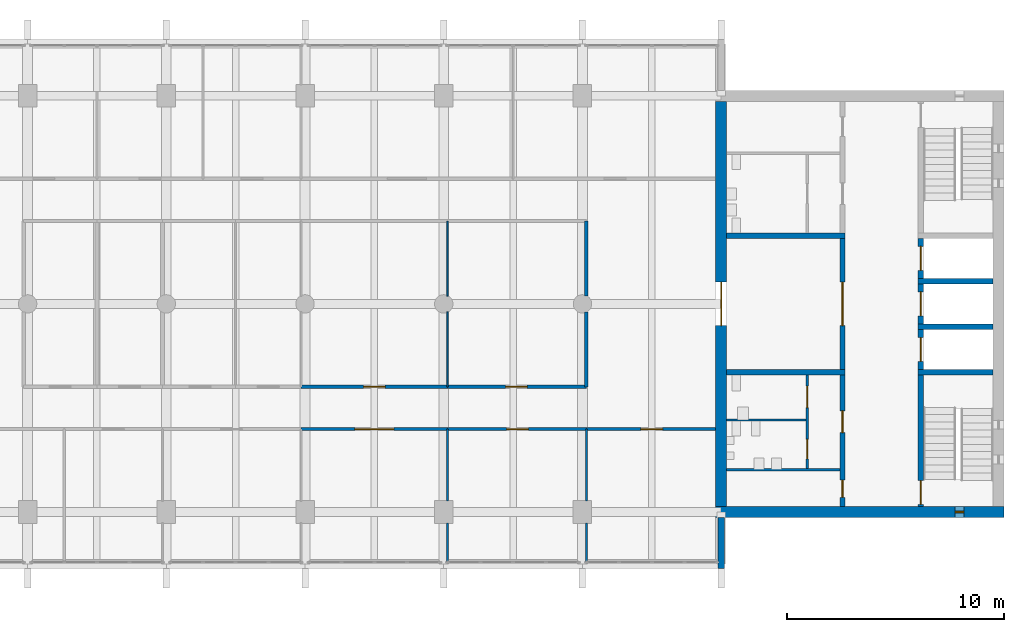
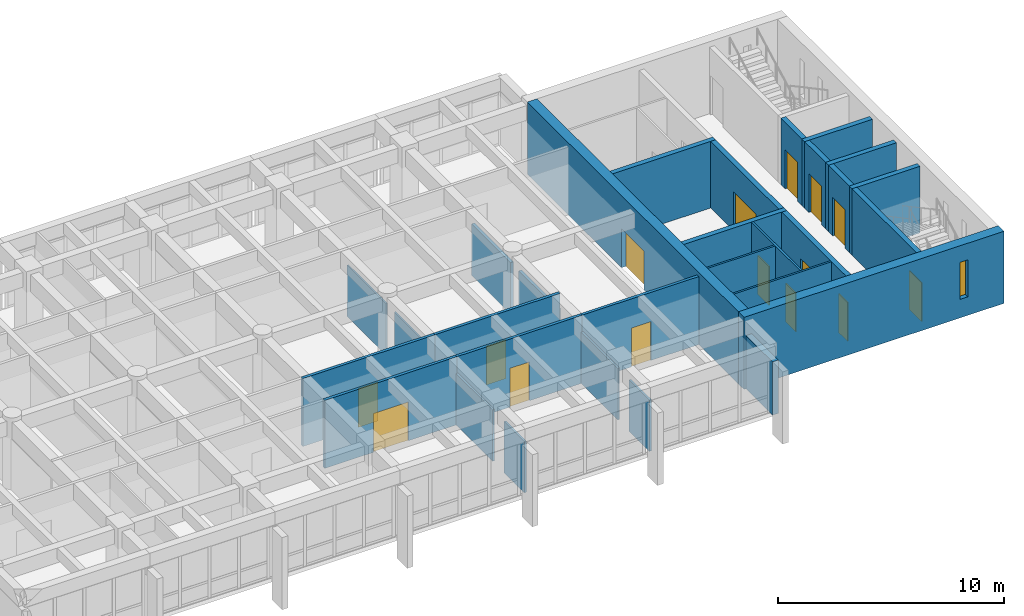
# One storey, part 11 of 15: 30 walls, 15 doors, 1 window, 16 openings.
"""IFC4 building model written with IfcOpenShell, lengths in metres."""

from ifc_helpers import new_model, si_unit, direction, frame, frame_2d, origin, place, context, subcontext, project, spatial, rectangle, extrude, material, layer, layer_set, type_object, element, fill, save


model = new_model("IFC4")

# Units and contexts
model_context = context("Model", 3, precision=1e-05, world=origin(), true_north=direction((0.0, 1.0)))
body_context = subcontext(model_context, "Body", "Model", "MODEL_VIEW")
ifc_project = project(units=[si_unit("LENGTHUNIT", "METRE"), si_unit("AREAUNIT", "SQUARE_METRE"), si_unit("VOLUMEUNIT", "CUBIC_METRE"), si_unit("PLANEANGLEUNIT", "RADIAN"), si_unit("MASSUNIT", "GRAM", prefix="KILO")], contexts=[model_context])

# Site, building, storey
site_placement = place(None, origin())
site = spatial("IfcSite", under=ifc_project, at=site_placement, CompositionType="ELEMENT")
building_placement = place(site_placement, origin())
building = spatial("IfcBuilding", under=site, at=building_placement, Name="Fogon Plaza Fire Station and Headquarters Tower", CompositionType="ELEMENT")
storey_placement = place(building_placement, frame((0.0, 0.0, 52.199951171875)))
storey = spatial("IfcBuildingStorey", under=building, at=storey_placement, Name="L13", CompositionType="ELEMENT", Elevation=52.199951171875)

# Walls
ifc_material_1 = material(Name="Concrete C40", Category="concrete")
ifc_layer_1 = layer(ifc_material_1, 0.25)
ifc_layer_set_1 = layer_set([ifc_layer_1], Name="Concrete C40")
wall_type_1 = type_object("IfcWallType", Name="Core Wall RC 250", PredefinedType="SOLIDWALL", material=ifc_layer_set_1)
for number, where, z_axis, x_axis, name in (
    (1, (76.550048828125, 40.050048828125, 0.0), (0.0, 0.0, 1.0), (-1.0, 0.0, 0.0), "Core B shaft wall"),
    (2, (76.550048828125, 42.14990234375, 0.0), (0.0, 0.0, 1.0), (-1.0, 0.0, 0.0), "Core B shaft wall"),
    (3, (76.550048828125, 44.25, 0.0), (0.0, 0.0, 1.0), (-1.0, 0.0, 0.0), "Core B shaft wall"),
):
    element("IfcWall", number, at=place(storey_placement, frame(where, z_axis=z_axis, x_axis=x_axis)), inside=storey, type_object=wall_type_1, Name=name, PredefinedType="SOLIDWALL", context=body_context, shape_type="SweptSolid", body=[
        extrude(rectangle(XDim=3.47509765625, YDim=0.25, at=frame_2d((1.737548828125, 0.0))), origin(), (0.0, 0.0, 1.0), 3.60009765625),
    ])

# Wall, opening, door
wall_1_placement = place(storey_placement, frame((73.199951171875, 33.85009765625, 0.0), z_axis=(0.0, 0.0, 1.0), x_axis=(0.0, 1.0, 0.0)))
wall_1 = element("IfcWall", 4, at=wall_1_placement, inside=storey, type_object=wall_type_1, Name="Core B shaft wall", PredefinedType="SOLIDWALL", context=body_context, shape_type="SweptSolid", body=[
    extrude(rectangle(XDim=6.074951171875, YDim=0.25, at=frame_2d((3.03759765625, 0.0))), origin(), (0.0, 0.0, 1.0), 3.60009765625),
])
opening_1_placement = place(wall_1_placement, frame((0.10009765625, 0.0, 0.0)))
opening_1 = element("IfcOpeningElement", 5, at=opening_1_placement, cuts=wall_1, Name="Opening L13-D15", PredefinedType="OPENING", context=body_context, shape_type="SweptSolid", body=[
    extrude(rectangle(XDim=1.10009765625, YDim=2.10009765625, at=frame_2d((0.550048828125, 1.050048828125))), frame((0.0, 0.135009765625, 0.0), z_axis=(0.0, -1.0, 0.0), x_axis=(1.0, 0.0, 0.0)), (0.0, 0.0, 1.0), 0.27001953125),
])
ifc_material_2 = material(Name="Steel Fire Door Leaf", Category="steel")
door_type_1 = type_object("IfcDoorType", Name="Stair Door Single 1100x2100", OperationType="SINGLE_SWING_LEFT", PredefinedType="DOOR", material=ifc_material_2)
door_1_placement = place(opening_1_placement, frame((1.10009765625, 0.0, 0.0), z_axis=(0.0, 0.0, 1.0), x_axis=(-1.0, 0.0, 0.0)))
door_1 = element("IfcDoor", 6, at=door_1_placement, inside=storey, type_object=door_type_1, Name="Stair door ST3", OperationType="SINGLE_SWING_RIGHT", OverallHeight=2.10009765625, OverallWidth=1.10009765625, PredefinedType="DOOR", context=body_context, shape_type="SweptSolid", body=[
    extrude(rectangle(XDim=1.10009765625, YDim=2.10009765625, at=frame_2d((0.550048828125, 1.050048828125))), frame((0.0, 0.02490234375, 0.0), z_axis=(0.0, -1.0, 0.0), x_axis=(1.0, 0.0, 0.0)), (0.0, 0.0, 1.0), 0.050048828125),
])
fill(opening_1, door_1)

wall_2_placement = place(storey_placement, frame((73.199951171875, 40.175048828125, 0.0), z_axis=(0.0, 0.0, 1.0), x_axis=(0.0, 1.0, 0.0)))
wall_2 = element("IfcWall", 7, at=wall_2_placement, inside=storey, type_object=wall_type_1, Name="Core B shaft wall", PredefinedType="SOLIDWALL", context=body_context, shape_type="SweptSolid", body=[
    extrude(rectangle(XDim=1.849853515625, YDim=0.25, at=frame_2d((0.9248046875, 0.0))), origin(), (0.0, 0.0, 1.0), 3.60009765625),
])
opening_2_placement = place(wall_2_placement, frame((0.375, 0.0, 0.0)))
opening_2 = element("IfcOpeningElement", 8, at=opening_2_placement, cuts=wall_2, Name="Opening L13-D17", PredefinedType="OPENING", context=body_context, shape_type="SweptSolid", body=[
    extrude(rectangle(XDim=1.10009765625, YDim=2.10009765625, at=frame_2d((0.550048828125, 1.050048828125))), frame((0.0, 0.135009765625, 0.0), z_axis=(0.0, -1.0, 0.0), x_axis=(1.0, 0.0, 0.0)), (0.0, 0.0, 1.0), 0.27001953125),
])
ifc_material_3 = material(Name="Stainless Steel", Category="steel")
door_type_2 = type_object("IfcDoorType", Name="Lift Landing Door 1100x2100", OperationType="SLIDING_TO_LEFT", PredefinedType="DOOR", material=ifc_material_3)
door_2_placement = place(opening_2_placement, origin())
door_2 = element("IfcDoor", 9, at=door_2_placement, inside=storey, type_object=door_type_2, Name="Lift LP3 landing door", OperationType="SLIDING_TO_LEFT", OverallHeight=2.10009765625, OverallWidth=1.10009765625, PredefinedType="DOOR", context=body_context, shape_type="SweptSolid", body=[
    extrude(rectangle(XDim=1.10009765625, YDim=2.10009765625, at=frame_2d((0.550048828125, 1.050048828125))), frame((0.0, 0.02490234375, 0.0), z_axis=(0.0, -1.0, 0.0), x_axis=(1.0, 0.0, 0.0)), (0.0, 0.0, 1.0), 0.050048828125),
])
fill(opening_2, door_2)

wall_3_placement = place(storey_placement, frame((73.199951171875, 42.27490234375, 0.0), z_axis=(0.0, 0.0, 1.0), x_axis=(0.0, 1.0, 0.0)))
wall_3 = element("IfcWall", 10, at=wall_3_placement, inside=storey, type_object=wall_type_1, Name="Core B shaft wall", PredefinedType="SOLIDWALL", context=body_context, shape_type="SweptSolid", body=[
    extrude(rectangle(XDim=1.85009765625, YDim=0.25, at=frame_2d((0.925048828125, 0.0))), origin(), (0.0, 0.0, 1.0), 3.60009765625),
])
opening_3_placement = place(wall_3_placement, frame((0.375, 0.0, 0.0)))
opening_3 = element("IfcOpeningElement", 11, at=opening_3_placement, cuts=wall_3, Name="Opening L13-D18", PredefinedType="OPENING", context=body_context, shape_type="SweptSolid", body=[
    extrude(rectangle(XDim=1.10009765625, YDim=2.10009765625, at=frame_2d((0.550048828125, 1.050048828125))), frame((0.0, 0.135009765625, 0.0), z_axis=(0.0, -1.0, 0.0), x_axis=(1.0, 0.0, 0.0)), (0.0, 0.0, 1.0), 0.27001953125),
])
door_3_placement = place(opening_3_placement, origin())
door_3 = element("IfcDoor", 12, at=door_3_placement, inside=storey, type_object=door_type_2, Name="Lift LP4 landing door", OperationType="SLIDING_TO_LEFT", OverallHeight=2.10009765625, OverallWidth=1.10009765625, PredefinedType="DOOR", context=body_context, shape_type="SweptSolid", body=[
    extrude(rectangle(XDim=1.10009765625, YDim=2.10009765625, at=frame_2d((0.550048828125, 1.050048828125))), frame((0.0, 0.02490234375, 0.0), z_axis=(0.0, -1.0, 0.0), x_axis=(1.0, 0.0, 0.0)), (0.0, 0.0, 1.0), 0.050048828125),
])
fill(opening_3, door_3)

wall_4_placement = place(storey_placement, frame((73.199951171875, 44.375, 0.0), z_axis=(0.0, 0.0, 1.0), x_axis=(0.0, 1.0, 0.0)))
wall_4 = element("IfcWall", 13, at=wall_4_placement, inside=storey, type_object=wall_type_1, Name="Core B shaft wall", PredefinedType="SOLIDWALL", context=body_context, shape_type="SweptSolid", body=[
    extrude(rectangle(XDim=1.85009765625, YDim=0.25, at=frame_2d((0.925048828125, 0.0))), origin(), (0.0, 0.0, 1.0), 3.60009765625),
])
opening_4_placement = place(wall_4_placement, frame((0.375, 0.0, 0.0)))
opening_4 = element("IfcOpeningElement", 14, at=opening_4_placement, cuts=wall_4, Name="Opening L13-D19", PredefinedType="OPENING", context=body_context, shape_type="SweptSolid", body=[
    extrude(rectangle(XDim=1.10009765625, YDim=2.10009765625, at=frame_2d((0.550048828125, 1.050048828125))), frame((0.0, 0.135009765625, 0.0), z_axis=(0.0, -1.0, 0.0), x_axis=(1.0, 0.0, 0.0)), (0.0, 0.0, 1.0), 0.27001953125),
])
door_4_placement = place(opening_4_placement, origin())
door_4 = element("IfcDoor", 15, at=door_4_placement, inside=storey, type_object=door_type_2, Name="Lift FL2 landing door", OperationType="SLIDING_TO_LEFT", OverallHeight=2.10009765625, OverallWidth=1.10009765625, PredefinedType="DOOR", context=body_context, shape_type="SweptSolid", body=[
    extrude(rectangle(XDim=1.10009765625, YDim=2.10009765625, at=frame_2d((0.550048828125, 1.050048828125))), frame((0.0, 0.02490234375, 0.0), z_axis=(0.0, -1.0, 0.0), x_axis=(1.0, 0.0, 0.0)), (0.0, 0.0, 1.0), 0.050048828125),
])
fill(opening_4, door_4)

# Wall, openings, doors
wall_5_placement = place(storey_placement, frame((69.60009765625, 33.85009765625, 0.0), z_axis=(0.0, 0.0, 1.0), x_axis=(0.0, 1.0, 0.0)))
wall_5 = element("IfcWall", 16, at=wall_5_placement, inside=storey, type_object=wall_type_1, Name="Core B shaft wall", PredefinedType="SOLIDWALL", context=body_context, shape_type="SweptSolid", body=[
    extrude(rectangle(XDim=6.074951171875, YDim=0.25, at=frame_2d((3.03759765625, 0.0))), origin(), (0.0, 0.0, 1.0), 3.60009765625),
])
opening_5_placement = place(wall_5_placement, frame((0.425048828125, 0.0, 0.0)))
opening_5 = element("IfcOpeningElement", 17, at=opening_5_placement, cuts=wall_5, Name="Opening L13-D22", PredefinedType="OPENING", context=body_context, shape_type="SweptSolid", body=[
    extrude(rectangle(XDim=0.800048828125, YDim=2.10009765625, at=frame_2d((0.39990234375, 1.050048828125))), frame((0.0, 0.135009765625, 0.0), z_axis=(0.0, -1.0, 0.0), x_axis=(1.0, 0.0, 0.0)), (0.0, 0.0, 1.0), 0.27001953125),
])
opening_6_placement = place(wall_5_placement, frame((3.41259765625, 0.0, 0.0)))
opening_6 = element("IfcOpeningElement", 18, at=opening_6_placement, cuts=wall_5, Name="Opening L13-D23", PredefinedType="OPENING", context=body_context, shape_type="SweptSolid", body=[
    extrude(rectangle(XDim=1.0, YDim=2.10009765625, at=frame_2d((0.5, 1.050048828125))), frame((0.0, 0.135009765625, 0.0), z_axis=(0.0, -1.0, 0.0), x_axis=(1.0, 0.0, 0.0)), (0.0, 0.0, 1.0), 0.27001953125),
])
ifc_material_4 = material(Name="Timber Door Leaf", Category="wood")
door_type_3 = type_object("IfcDoorType", Name="Cleaner Store Single 800x2100", OperationType="SINGLE_SWING_LEFT", PredefinedType="DOOR", material=ifc_material_4)
door_5_placement = place(opening_5_placement, origin())
door_5 = element("IfcDoor", 19, at=door_5_placement, inside=storey, type_object=door_type_3, Name="Cleaner's store B door", OperationType="SINGLE_SWING_RIGHT", OverallHeight=2.10009765625, OverallWidth=0.800048828125, PredefinedType="DOOR", context=body_context, shape_type="SweptSolid", body=[
    extrude(rectangle(XDim=0.800048828125, YDim=2.10009765625, at=frame_2d((0.39990234375, 1.050048828125))), frame((0.0, 0.02490234375, 0.0), z_axis=(0.0, -1.0, 0.0), x_axis=(1.0, 0.0, 0.0)), (0.0, 0.0, 1.0), 0.050048828125),
])
fill(opening_5, door_5)
ifc_material_5 = material(Name="Timber fire door", Category="wood")
door_type_4 = type_object("IfcDoorType", Name="WC Lobby Single 1000x2100", OperationType="SINGLE_SWING_LEFT", PredefinedType="DOOR", material=ifc_material_5)
door_6_placement = place(opening_6_placement, origin())
door_6 = element("IfcDoor", 20, at=door_6_placement, inside=storey, type_object=door_type_4, Name="Men's WC lobby B door", OperationType="SINGLE_SWING_LEFT", OverallHeight=2.10009765625, OverallWidth=1.0, PredefinedType="DOOR", context=body_context, shape_type="SweptSolid", body=[
    extrude(rectangle(XDim=1.0, YDim=2.10009765625, at=frame_2d((0.5, 1.050048828125))), frame((0.0, 0.02490234375, 0.0), z_axis=(0.0, -1.0, 0.0), x_axis=(1.0, 0.0, 0.0)), (0.0, 0.0, 1.0), 0.050048828125),
])
fill(opening_6, door_6)

# Wall, opening, door
wall_6_placement = place(storey_placement, frame((69.60009765625, 40.175048828125, 0.0), z_axis=(0.0, 0.0, 1.0), x_axis=(0.0, 1.0, 0.0)))
wall_6 = element("IfcWall", 21, at=wall_6_placement, inside=storey, type_object=wall_type_1, Name="Core B shaft wall", PredefinedType="SOLIDWALL", context=body_context, shape_type="SweptSolid", body=[
    extrude(rectangle(XDim=6.050048828125, YDim=0.25, at=frame_2d((3.02490234375, 0.0))), origin(), (0.0, 0.0, 1.0), 3.60009765625),
])
opening_7_placement = place(wall_6_placement, frame((2.02490234375, 0.0, 0.0)))
opening_7 = element("IfcOpeningElement", 22, at=opening_7_placement, cuts=wall_6, Name="Opening L13-D20", PredefinedType="OPENING", context=body_context, shape_type="SweptSolid", body=[
    extrude(rectangle(XDim=2.0, YDim=2.10009765625, at=frame_2d((1.0, 1.050048828125))), frame((0.0, 0.135009765625, 0.0), z_axis=(0.0, -1.0, 0.0), x_axis=(1.0, 0.0, 0.0)), (0.0, 0.0, 1.0), 0.27001953125),
])
ifc_material_6 = material(Name="Steel Fire Door Leaf", Category="steel")
door_type_5 = type_object("IfcDoorType", Name="Vestibule Double 2000x2100", OperationType="DOUBLE_DOOR_SINGLE_SWING", PredefinedType="DOOR", material=ifc_material_6)
door_7_placement = place(opening_7_placement, origin())
door_7 = element("IfcDoor", 23, at=door_7_placement, inside=storey, type_object=door_type_5, Name="Vestibule B door", OperationType="DOUBLE_DOOR_SINGLE_SWING", OverallHeight=2.10009765625, OverallWidth=2.0, PredefinedType="DOOR", context=body_context, shape_type="SweptSolid", body=[
    extrude(rectangle(XDim=2.0, YDim=2.10009765625, at=frame_2d((1.0, 1.050048828125))), frame((0.0, 0.02490234375, 0.0), z_axis=(0.0, -1.0, 0.0), x_axis=(1.0, 0.0, 0.0)), (0.0, 0.0, 1.0), 0.050048828125),
])
fill(opening_7, door_7)

# Walls
for number, where, z_axis, x_axis, name in (
    (24, (69.72509765625, 40.050048828125, 0.0), (0.0, 0.0, 1.0), (-1.0, 0.0, 0.0), "Core B shaft wall"),
    (25, (69.72509765625, 46.35009765625, 0.0), (0.0, 0.0, 1.0), (-1.0, 0.0, 0.0), "Core B shaft wall"),
):
    element("IfcWall", number, at=place(storey_placement, frame(where, z_axis=z_axis, x_axis=x_axis)), inside=storey, type_object=wall_type_1, Name=name, PredefinedType="SOLIDWALL", context=body_context, shape_type="SweptSolid", body=[
        extrude(rectangle(XDim=5.47509765625, YDim=0.25, at=frame_2d((2.737548828125, 0.0))), origin(), (0.0, 0.0, 1.0), 3.60009765625),
    ])
ifc_material_7 = material(Name="Concrete C40", Category="concrete")
ifc_layer_2 = layer(ifc_material_7, 0.300048828125)
ifc_layer_set_2 = layer_set([ifc_layer_2], Name="Concrete C40")
wall_type_2 = type_object("IfcWallType", Name="Fair-faced RC Return Panel 300", PredefinedType="SOLIDWALL", material=ifc_layer_set_2)
wall_7_placement = place(storey_placement, frame((64.0, 31.0, 0.0), z_axis=(0.0, 0.0, 1.0), x_axis=(0.0, 1.0, 0.0)))
element("IfcWall", 26, at=wall_7_placement, inside=storey, type_object=wall_type_2, Name="Bar end return ES L13", PredefinedType="SOLIDWALL", context=body_context, shape_type="SweptSolid", body=[
    extrude(rectangle(XDim=2.35009765625, YDim=0.300048828125, at=frame_2d((1.175048828125, 0.0))), origin(), (0.0, 0.0, 1.0), 2.880126953125),
])
ifc_material_8 = material(Name="Blockwork", Category="masonry")
ifc_layer_3 = layer(ifc_material_8, 0.10009765625)
ifc_layer_set_3 = layer_set([ifc_layer_3], Name="Blockwork")
wall_type_3 = type_object("IfcWallType", Name="Partition Blockwork 100", PredefinedType="PARTITIONING", material=ifc_layer_set_3)
wall_8_placement = place(storey_placement, frame((69.47509765625, 35.550048828125, 0.0), z_axis=(0.0, 0.0, 1.0), x_axis=(-1.0, 0.0, 0.0)))
element("IfcWall", 27, at=wall_8_placement, inside=storey, type_object=wall_type_3, Name="Cleaner's store partition", PredefinedType="PARTITIONING", context=body_context, shape_type="SweptSolid", body=[
    extrude(rectangle(XDim=5.22509765625, YDim=0.10009765625, at=frame_2d((2.612548828125, 0.0))), origin(), (0.0, 0.0, 1.0), 3.60009765625),
])

# Wall, openings, doors
wall_9_placement = place(storey_placement, frame((67.97509765625, 35.60009765625, 0.0), z_axis=(0.0, 0.0, 1.0), x_axis=(0.0, 1.0, 0.0)))
wall_9 = element("IfcWall", 28, at=wall_9_placement, inside=storey, type_object=wall_type_3, Name="WC block partition", PredefinedType="PARTITIONING", context=body_context, shape_type="SweptSolid", body=[
    extrude(rectangle(XDim=4.324951171875, YDim=0.10009765625, at=frame_2d((2.16259765625, 0.0))), origin(), (0.0, 0.0, 1.0), 3.60009765625),
])
opening_8_placement = place(wall_9_placement, frame((0.449951171875, 0.0, 0.0)))
opening_8 = element("IfcOpeningElement", 29, at=opening_8_placement, cuts=wall_9, Name="Opening L13-D24", PredefinedType="OPENING", context=body_context, shape_type="SweptSolid", body=[
    extrude(rectangle(XDim=0.89990234375, YDim=2.10009765625, at=frame_2d((0.449951171875, 1.050048828125))), frame((0.0, 0.06005859375, 0.0), z_axis=(0.0, -1.0, 0.0), x_axis=(1.0, 0.0, 0.0)), (0.0, 0.0, 1.0), 0.1201171875),
])
opening_9_placement = place(wall_9_placement, frame((2.8125, 0.0, 0.0)))
opening_9 = element("IfcOpeningElement", 30, at=opening_9_placement, cuts=wall_9, Name="Opening L13-D25", PredefinedType="OPENING", context=body_context, shape_type="SweptSolid", body=[
    extrude(rectangle(XDim=1.0, YDim=2.10009765625, at=frame_2d((0.5, 1.050048828125))), frame((0.0, 0.06005859375, 0.0), z_axis=(0.0, -1.0, 0.0), x_axis=(1.0, 0.0, 0.0)), (0.0, 0.0, 1.0), 0.1201171875),
])
ifc_material_9 = material(Name="Timber Door Leaf", Category="wood")
door_type_6 = type_object("IfcDoorType", Name="Accessible WC Single 1000x2100", OperationType="SINGLE_SWING_LEFT", PredefinedType="DOOR", material=ifc_material_9)
door_8_placement = place(opening_9_placement, origin())
door_8 = element("IfcDoor", 31, at=door_8_placement, inside=storey, type_object=door_type_6, Name="Accessible WC B door", OperationType="SINGLE_SWING_LEFT", OverallHeight=2.10009765625, OverallWidth=1.0, PredefinedType="DOOR", context=body_context, shape_type="SweptSolid", body=[
    extrude(rectangle(XDim=1.0, YDim=2.10009765625, at=frame_2d((0.5, 1.050048828125))), frame((0.0, 0.02490234375, 0.0), z_axis=(0.0, -1.0, 0.0), x_axis=(1.0, 0.0, 0.0)), (0.0, 0.0, 1.0), 0.050048828125),
])
fill(opening_9, door_8)
ifc_material_10 = material(Name="Timber Door Leaf", Category="wood")
door_type_7 = type_object("IfcDoorType", Name="WC Single 900x2100", OperationType="SINGLE_SWING_LEFT", PredefinedType="DOOR", material=ifc_material_10)
door_9_placement = place(opening_8_placement, origin())
door_9 = element("IfcDoor", 32, at=door_9_placement, inside=storey, type_object=door_type_7, Name="Men's WC B door", OperationType="SINGLE_SWING_LEFT", OverallHeight=2.10009765625, OverallWidth=0.89990234375, PredefinedType="DOOR", context=body_context, shape_type="SweptSolid", body=[
    extrude(rectangle(XDim=0.89990234375, YDim=2.10009765625, at=frame_2d((0.449951171875, 1.050048828125))), frame((0.0, 0.02490234375, 0.0), z_axis=(0.0, -1.0, 0.0), x_axis=(1.0, 0.0, 0.0)), (0.0, 0.0, 1.0), 0.050048828125),
])
fill(opening_8, door_9)

# Wall
wall_10_placement = place(storey_placement, frame((67.925048828125, 37.85009765625, 0.0), z_axis=(0.0, 0.0, 1.0), x_axis=(-1.0, 0.0, 0.0)))
element("IfcWall", 33, at=wall_10_placement, inside=storey, type_object=wall_type_3, Name="WC block partition", PredefinedType="PARTITIONING", context=body_context, shape_type="SweptSolid", body=[
    extrude(rectangle(XDim=3.675048828125, YDim=0.10009765625, at=frame_2d((1.83740234375, 0.0))), origin(), (0.0, 0.0, 1.0), 3.60009765625),
])

# Wall, opening, window
ifc_material_11 = material(Name="Concrete C40", Category="concrete")
ifc_layer_4 = layer(ifc_material_11, 0.5)
ifc_layer_set_4 = layer_set([ifc_layer_4], Name="Concrete C40")
wall_type_4 = type_object("IfcWallType", Name="Shear wall 500 SW50", PredefinedType="SHEAR", material=ifc_layer_set_4)
wall_11_placement = place(storey_placement, frame((63.75, 33.60009765625, 0.0), z_axis=(0.0, 0.0, 1.0), x_axis=(1.0, 0.0, 0.0)))
wall_11 = element("IfcWall", 34, at=wall_11_placement, inside=storey, type_object=wall_type_4, Name="wall-coreB-S-L13", PredefinedType="SHEAR", context=body_context, shape_type="SweptSolid", body=[
    extrude(rectangle(XDim=13.300048828125, YDim=0.5, at=frame_2d((6.64990234375, 0.0))), origin(), (0.0, 0.0, 1.0), 3.900146484375),
])
opening_10_placement = place(wall_11_placement, frame((11.050048828125, 0.0, 1.0)))
opening_10 = element("IfcOpeningElement", 35, at=opening_10_placement, cuts=wall_11, Name="Opening WS1", PredefinedType="OPENING", context=body_context, shape_type="SweptSolid", body=[
    extrude(rectangle(XDim=0.39990234375, YDim=2.0, at=frame_2d((0.199951171875, 1.0))), frame((0.0, 0.260009765625, 0.0), z_axis=(0.0, -1.0, 0.0), x_axis=(1.0, 0.0, 0.0)), (0.0, 0.0, 1.0), 0.52001953125),
])
ifc_material_12 = material(Name="Aluminium framed double glazing", Category="aluminium")
window_type = type_object("IfcWindowType", Name="Slit Window WS1 400x2000", PartitioningType="SINGLE_PANEL", PredefinedType="WINDOW", material=ifc_material_12)
window_placement = place(opening_10_placement, origin())
window = element("IfcWindow", 36, at=window_placement, inside=storey, type_object=window_type, Name="Slit window B5 L13", OverallHeight=2.0, OverallWidth=0.39990234375, PartitioningType="SINGLE_PANEL", PredefinedType="WINDOW", context=body_context, shape_type="SweptSolid", body=[
    extrude(rectangle(XDim=0.39990234375, YDim=2.0, at=frame_2d((0.199951171875, 1.0))), frame((0.0, 0.030029296875, 0.0), z_axis=(0.0, -1.0, 0.0), x_axis=(1.0, 0.0, 0.0)), (0.0, 0.0, 1.0), 0.06005859375),
])
fill(opening_10, window)

# Wall, opening, door
wall_12_placement = place(storey_placement, frame((64.0, 33.85009765625, 0.0), z_axis=(0.0, 0.0, 1.0), x_axis=(0.0, 1.0, 0.0)))
wall_12 = element("IfcWall", 37, at=wall_12_placement, inside=storey, type_object=wall_type_4, Name="wall-coreB-W-L13", PredefinedType="SHEAR", context=body_context, shape_type="SweptSolid", body=[
    extrude(rectangle(XDim=18.699951171875, YDim=0.5, at=frame_2d((9.35009765625, 0.0))), origin(), (0.0, 0.0, 1.0), 3.900146484375),
])
opening_11_placement = place(wall_12_placement, frame((8.35009765625, 0.0, 0.0)))
opening_11 = element("IfcOpeningElement", 38, at=opening_11_placement, cuts=wall_12, Name="Opening L13-D21", PredefinedType="OPENING", context=body_context, shape_type="SweptSolid", body=[
    extrude(rectangle(XDim=2.0, YDim=2.10009765625, at=frame_2d((1.0, 1.050048828125))), frame((0.0, 0.260009765625, 0.0), z_axis=(0.0, -1.0, 0.0), x_axis=(1.0, 0.0, 0.0)), (0.0, 0.0, 1.0), 0.52001953125),
])
door_10_placement = place(opening_11_placement, frame((2.0, 0.0, 0.0), z_axis=(0.0, 0.0, 1.0), x_axis=(-1.0, 0.0, 0.0)))
door_10 = element("IfcDoor", 39, at=door_10_placement, inside=storey, type_object=door_type_5, Name="Vestibule B door to the office zone", OperationType="DOUBLE_DOOR_SINGLE_SWING", OverallHeight=2.10009765625, OverallWidth=2.0, PredefinedType="DOOR", context=body_context, shape_type="SweptSolid", body=[
    extrude(rectangle(XDim=2.0, YDim=2.10009765625, at=frame_2d((1.0, 1.050048828125))), frame((0.0, 0.02490234375, 0.0), z_axis=(0.0, -1.0, 0.0), x_axis=(1.0, 0.0, 0.0)), (0.0, 0.0, 1.0), 0.050048828125),
])
fill(opening_11, door_10)

ifc_material_13 = material(Name="Gypsum board on steel stud", Category="steel")
ifc_layer_5 = layer(ifc_material_13, 0.14990234375)
ifc_layer_set_5 = layer_set([ifc_layer_5], Name="Gypsum board on steel stud")
wall_type_5 = type_object("IfcWallType", Name="Tower corridor partition 150 EI 60", PredefinedType="PARTITIONING", material=ifc_layer_set_5)
wall_13_placement = place(storey_placement, frame((44.6201171875, 37.425048828125, 0.0), z_axis=(0.0, 0.0, 1.0), x_axis=(1.0, 0.0, 0.0)))
wall_13 = element("IfcWall", 40, at=wall_13_placement, inside=storey, type_object=wall_type_5, Name="part-L13-04", PredefinedType="PARTITIONING", context=body_context, shape_type="SweptSolid", body=[
    extrude(rectangle(XDim=6.759765625, YDim=0.14990234375, at=frame_2d((3.3798828125, 0.0))), origin(), (0.0, 0.0, 1.0), 3.679931640625),
])
opening_12_placement = place(wall_13_placement, frame((2.47998046875, 0.0, 0.0)))
opening_12 = element("IfcOpeningElement", 41, at=opening_12_placement, cuts=wall_13, Name="Opening L13-D32", PredefinedType="OPENING", context=body_context, shape_type="SweptSolid", body=[
    extrude(rectangle(XDim=1.800048828125, YDim=2.10009765625, at=frame_2d((0.89990234375, 1.050048828125))), frame((0.0, 0.0849609375, 0.0), z_axis=(0.0, -1.0, 0.0), x_axis=(1.0, 0.0, 0.0)), (0.0, 0.0, 1.0), 0.169921875),
])
ifc_material_14 = material(Name="Timber fire door", Category="wood")
door_type_8 = type_object("IfcDoorType", Name="Tower fire door double 1800 EI 20", OperationType="DOUBLE_DOOR_SINGLE_SWING", PredefinedType="DOOR", material=ifc_material_14)
door_11_placement = place(opening_12_placement, frame((1.800048828125, 0.0, 0.0), z_axis=(0.0, 0.0, 1.0), x_axis=(-1.0, 0.0, 0.0)))
door_11 = element("IfcDoor", 42, at=door_11_placement, inside=storey, type_object=door_type_8, Name="door-L13-04", OperationType="DOUBLE_DOOR_SINGLE_SWING", OverallHeight=2.10009765625, OverallWidth=1.800048828125, PredefinedType="DOOR", context=body_context, shape_type="SweptSolid", body=[
    extrude(rectangle(XDim=1.800048828125, YDim=2.10009765625, at=frame_2d((0.89990234375, 1.050048828125))), frame((0.0, 0.02490234375, 0.0), z_axis=(0.0, -1.0, 0.0), x_axis=(1.0, 0.0, 0.0)), (0.0, 0.0, 1.0), 0.050048828125),
])
fill(opening_12, door_11)

wall_14_placement = place(storey_placement, frame((51.3798828125, 37.425048828125, 0.0), z_axis=(0.0, 0.0, 1.0), x_axis=(1.0, 0.0, 0.0)))
wall_14 = element("IfcWall", 43, at=wall_14_placement, inside=storey, type_object=wall_type_5, Name="part-L13-05", PredefinedType="PARTITIONING", context=body_context, shape_type="SweptSolid", body=[
    extrude(rectangle(XDim=6.400146484375, YDim=0.14990234375, at=frame_2d((3.2001953125, 0.0))), origin(), (0.0, 0.0, 1.0), 3.679931640625),
])
opening_13_placement = place(wall_14_placement, frame((2.719970703125, 0.0, 0.0)))
opening_13 = element("IfcOpeningElement", 44, at=opening_13_placement, cuts=wall_14, Name="Opening L13-D33", PredefinedType="OPENING", context=body_context, shape_type="SweptSolid", body=[
    extrude(rectangle(XDim=1.0, YDim=2.10009765625, at=frame_2d((0.5, 1.050048828125))), frame((0.0, 0.0849609375, 0.0), z_axis=(0.0, -1.0, 0.0), x_axis=(1.0, 0.0, 0.0)), (0.0, 0.0, 1.0), 0.169921875),
])
ifc_material_15 = material(Name="Timber fire door", Category="wood")
door_type_9 = type_object("IfcDoorType", Name="Tower fire door single 1000 EI 20", OperationType="SINGLE_SWING_LEFT", PredefinedType="DOOR", material=ifc_material_15)
door_12_placement = place(opening_13_placement, frame((1.0, 0.0, 0.0), z_axis=(0.0, 0.0, 1.0), x_axis=(-1.0, 0.0, 0.0)))
door_12 = element("IfcDoor", 45, at=door_12_placement, inside=storey, type_object=door_type_9, Name="door-L13-05", OperationType="SINGLE_SWING_LEFT", OverallHeight=2.10009765625, OverallWidth=1.0, PredefinedType="DOOR", context=body_context, shape_type="SweptSolid", body=[
    extrude(rectangle(XDim=1.0, YDim=2.10009765625, at=frame_2d((0.5, 1.050048828125))), frame((0.0, 0.02490234375, 0.0), z_axis=(0.0, -1.0, 0.0), x_axis=(1.0, 0.0, 0.0)), (0.0, 0.0, 1.0), 0.050048828125),
])
fill(opening_13, door_12)

wall_15_placement = place(storey_placement, frame((57.780029296875, 37.425048828125, 0.0), z_axis=(0.0, 0.0, 1.0), x_axis=(1.0, 0.0, 0.0)))
wall_15 = element("IfcWall", 46, at=wall_15_placement, inside=storey, type_object=wall_type_5, Name="part-L13-06", PredefinedType="PARTITIONING", context=body_context, shape_type="SweptSolid", body=[
    extrude(rectangle(XDim=5.969970703125, YDim=0.14990234375, at=frame_2d((2.98486328125, 0.0))), origin(), (0.0, 0.0, 1.0), 3.679931640625),
])
opening_14_placement = place(wall_15_placement, frame((2.52001953125, 0.0, 0.0)))
opening_14 = element("IfcOpeningElement", 47, at=opening_14_placement, cuts=wall_15, Name="Opening L13-D34", PredefinedType="OPENING", context=body_context, shape_type="SweptSolid", body=[
    extrude(rectangle(XDim=1.0, YDim=2.10009765625, at=frame_2d((0.5, 1.050048828125))), frame((0.0, 0.0849609375, 0.0), z_axis=(0.0, -1.0, 0.0), x_axis=(1.0, 0.0, 0.0)), (0.0, 0.0, 1.0), 0.169921875),
])
door_13_placement = place(opening_14_placement, frame((1.0, 0.0, 0.0), z_axis=(0.0, 0.0, 1.0), x_axis=(-1.0, 0.0, 0.0)))
door_13 = element("IfcDoor", 48, at=door_13_placement, inside=storey, type_object=door_type_9, Name="door-L13-06", OperationType="SINGLE_SWING_RIGHT", OverallHeight=2.10009765625, OverallWidth=1.0, PredefinedType="DOOR", context=body_context, shape_type="SweptSolid", body=[
    extrude(rectangle(XDim=1.0, YDim=2.10009765625, at=frame_2d((0.5, 1.050048828125))), frame((0.0, 0.02490234375, 0.0), z_axis=(0.0, -1.0, 0.0), x_axis=(1.0, 0.0, 0.0)), (0.0, 0.0, 1.0), 0.050048828125),
])
fill(opening_14, door_13)

wall_16_placement = place(storey_placement, frame((44.6201171875, 39.375, 0.0), z_axis=(0.0, 0.0, 1.0), x_axis=(1.0, 0.0, 0.0)))
wall_16 = element("IfcWall", 49, at=wall_16_placement, inside=storey, type_object=wall_type_5, Name="part-L13-24", PredefinedType="PARTITIONING", context=body_context, shape_type="SweptSolid", body=[
    extrude(rectangle(XDim=6.759765625, YDim=0.14990234375, at=frame_2d((3.3798828125, 0.0))), origin(), (0.0, 0.0, 1.0), 3.679931640625),
])
opening_15_placement = place(wall_16_placement, frame((2.8798828125, 0.0, 0.0)))
opening_15 = element("IfcOpeningElement", 50, at=opening_15_placement, cuts=wall_16, Name="Opening L13-D39", PredefinedType="OPENING", context=body_context, shape_type="SweptSolid", body=[
    extrude(rectangle(XDim=1.0, YDim=2.10009765625, at=frame_2d((0.5, 1.050048828125))), frame((0.0, 0.0849609375, 0.0), z_axis=(0.0, -1.0, 0.0), x_axis=(1.0, 0.0, 0.0)), (0.0, 0.0, 1.0), 0.169921875),
])
ifc_material_16 = material(Name="Fire rated glazed door")
door_type_10 = type_object("IfcDoorType", Name="Tower glazed fire door single 1000 EI 20", OperationType="SINGLE_SWING_LEFT", PredefinedType="DOOR", material=ifc_material_16)
door_14_placement = place(opening_15_placement, origin())
door_14 = element("IfcDoor", 51, at=door_14_placement, inside=storey, type_object=door_type_10, Name="door-L13-11", OperationType="SINGLE_SWING_RIGHT", OverallHeight=2.10009765625, OverallWidth=1.0, PredefinedType="DOOR", context=body_context, shape_type="SweptSolid", body=[
    extrude(rectangle(XDim=1.0, YDim=2.10009765625, at=frame_2d((0.5, 1.050048828125))), frame((0.0, 0.02490234375, 0.0), z_axis=(0.0, -1.0, 0.0), x_axis=(1.0, 0.0, 0.0)), (0.0, 0.0, 1.0), 0.050048828125),
])
fill(opening_15, door_14)

wall_17_placement = place(storey_placement, frame((51.3798828125, 39.375, 0.0), z_axis=(0.0, 0.0, 1.0), x_axis=(1.0, 0.0, 0.0)))
wall_17 = element("IfcWall", 52, at=wall_17_placement, inside=storey, type_object=wall_type_5, Name="part-L13-26", PredefinedType="PARTITIONING", context=body_context, shape_type="SweptSolid", body=[
    extrude(rectangle(XDim=6.400146484375, YDim=0.14990234375, at=frame_2d((3.2001953125, 0.0))), origin(), (0.0, 0.0, 1.0), 3.679931640625),
])
opening_16_placement = place(wall_17_placement, frame((2.669921875, 0.0, 0.0)))
opening_16 = element("IfcOpeningElement", 53, at=opening_16_placement, cuts=wall_17, Name="Opening L13-D40", PredefinedType="OPENING", context=body_context, shape_type="SweptSolid", body=[
    extrude(rectangle(XDim=1.0, YDim=2.10009765625, at=frame_2d((0.5, 1.050048828125))), frame((0.0, 0.0849609375, 0.0), z_axis=(0.0, -1.0, 0.0), x_axis=(1.0, 0.0, 0.0)), (0.0, 0.0, 1.0), 0.169921875),
])
door_15_placement = place(opening_16_placement, origin())
door_15 = element("IfcDoor", 54, at=door_15_placement, inside=storey, type_object=door_type_9, Name="door-L13-12", OperationType="SINGLE_SWING_LEFT", OverallHeight=2.10009765625, OverallWidth=1.0, PredefinedType="DOOR", context=body_context, shape_type="SweptSolid", body=[
    extrude(rectangle(XDim=1.0, YDim=2.10009765625, at=frame_2d((0.5, 1.050048828125))), frame((0.0, 0.02490234375, 0.0), z_axis=(0.0, -1.0, 0.0), x_axis=(1.0, 0.0, 0.0)), (0.0, 0.0, 1.0), 0.050048828125),
])
fill(opening_16, door_15)

# Walls
ifc_material_17 = material(Name="Gypsum board on steel stud", Category="steel")
ifc_layer_6 = layer(ifc_material_17, 0.14990234375)
ifc_layer_set_6 = layer_set([ifc_layer_6], Name="Gypsum board on steel stud")
wall_type_6 = type_object("IfcWallType", Name="Tower corridor partition 150 EI 60 Beam Head 900", PredefinedType="PARTITIONING", material=ifc_layer_set_6)
for number, where, z_axis, x_axis, name in (
    (55, (57.780029296875, 39.375, 0.0), (0.0, 0.0, 1.0), (0.0, 1.0, 0.0), "part-L13-50"),
    (56, (57.780029296875, 43.56494140625, 0.0), (0.0, 0.0, 1.0), (0.0, 1.0, 0.0), "part-L13-51"),
):
    element("IfcWall", number, at=place(storey_placement, frame(where, z_axis=z_axis, x_axis=x_axis)), inside=storey, type_object=wall_type_6, Name=name, PredefinedType="PARTITIONING", context=body_context, shape_type="SweptSolid", body=[
        extrude(rectangle(XDim=3.4599609375, YDim=0.14990234375, at=frame_2d((1.72998046875, 0.0))), origin(), (0.0, 0.0, 1.0), 2.780029296875),
    ])
ifc_material_18 = material(Name="Glazed aluminium partition", Category="aluminium")
ifc_layer_7 = layer(ifc_material_18, 0.074951171875)
ifc_layer_set_7 = layer_set([ifc_layer_7], Name="Glazed aluminium partition")
wall_type_7 = type_object("IfcWallType", Name="Tower glazed partition 75 Beam Head 900", PredefinedType="PARTITIONING", material=ifc_layer_set_7)
for number, where, z_axis, x_axis, name in (
    (57, (51.3798828125, 39.375, 0.0), (0.0, 0.0, 1.0), (0.0, 1.0, 0.0), "part-L13-34"),
    (58, (51.3798828125, 43.56494140625, 0.0), (0.0, 0.0, 1.0), (0.0, 1.0, 0.0), "part-L13-35"),
):
    element("IfcWall", number, at=place(storey_placement, frame(where, z_axis=z_axis, x_axis=x_axis)), inside=storey, type_object=wall_type_7, Name=name, PredefinedType="PARTITIONING", context=body_context, shape_type="SweptSolid", body=[
        extrude(rectangle(XDim=3.4599609375, YDim=0.074951171875, at=frame_2d((1.72998046875, 0.0))), origin(), (0.0, 0.0, 1.0), 2.780029296875),
    ])
ifc_material_19 = material(Name="Gypsum board on steel stud", Category="steel")
ifc_layer_8 = layer(ifc_material_19, 0.10009765625)
ifc_layer_set_8 = layer_set([ifc_layer_8], Name="Gypsum board on steel stud")
wall_type_8 = type_object("IfcWallType", Name="Tower office partition 100 Beam Head 900", PredefinedType="PARTITIONING", material=ifc_layer_set_8)
wall_18_placement = place(storey_placement, frame((51.3798828125, 31.300048828125, 0.0), z_axis=(0.0, 0.0, 1.0), x_axis=(0.0, 1.0, 0.0)))
element("IfcWall", 59, at=wall_18_placement, inside=storey, type_object=wall_type_8, Name="part-L13-12", PredefinedType="PARTITIONING", context=body_context, shape_type="SweptSolid", body=[
    extrude(rectangle(XDim=1.794921875, YDim=0.10009765625, at=frame_2d((0.8974609375, 0.0))), origin(), (0.0, 0.0, 1.0), 2.780029296875),
])
wall_19_placement = place(storey_placement, frame((51.3798828125, 34.10498046875, 0.0), z_axis=(0.0, 0.0, 1.0), x_axis=(0.0, 1.0, 0.0)))
element("IfcWall", 60, at=wall_19_placement, inside=storey, type_object=wall_type_8, Name="part-L13-13", PredefinedType="PARTITIONING", context=body_context, shape_type="SweptSolid", body=[
    extrude(rectangle(XDim=3.320068359375, YDim=0.10009765625, at=frame_2d((1.66015625, 0.0))), origin(), (0.0, 0.0, 1.0), 2.780029296875),
])
wall_20_placement = place(storey_placement, frame((57.780029296875, 31.300048828125, 0.0), z_axis=(0.0, 0.0, 1.0), x_axis=(0.0, 1.0, 0.0)))
element("IfcWall", 61, at=wall_20_placement, inside=storey, type_object=wall_type_8, Name="part-L13-14", PredefinedType="PARTITIONING", context=body_context, shape_type="SweptSolid", body=[
    extrude(rectangle(XDim=1.794921875, YDim=0.10009765625, at=frame_2d((0.8974609375, 0.0))), origin(), (0.0, 0.0, 1.0), 2.780029296875),
])
wall_21_placement = place(storey_placement, frame((57.780029296875, 34.10498046875, 0.0), z_axis=(0.0, 0.0, 1.0), x_axis=(0.0, 1.0, 0.0)))
element("IfcWall", 62, at=wall_21_placement, inside=storey, type_object=wall_type_8, Name="part-L13-15", PredefinedType="PARTITIONING", context=body_context, shape_type="SweptSolid", body=[
    extrude(rectangle(XDim=3.320068359375, YDim=0.10009765625, at=frame_2d((1.66015625, 0.0))), origin(), (0.0, 0.0, 1.0), 2.780029296875),
])

save(model, "model.ifc")
